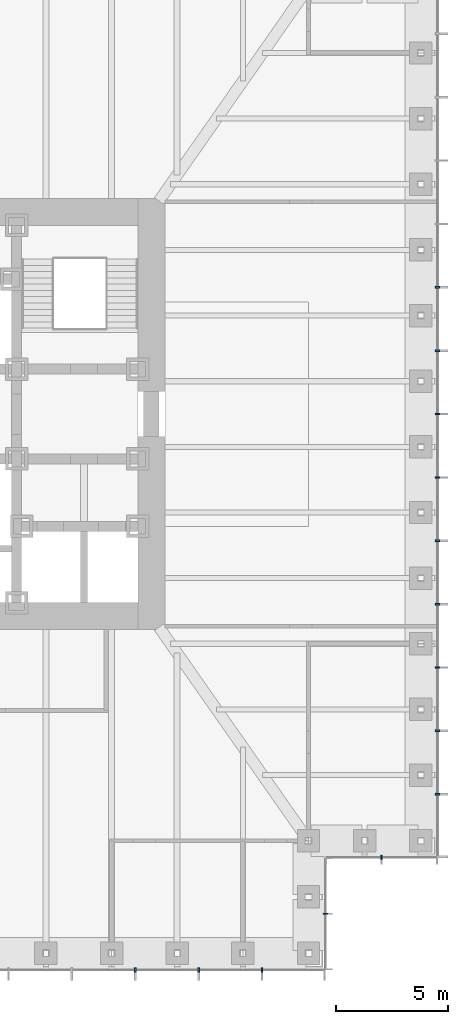
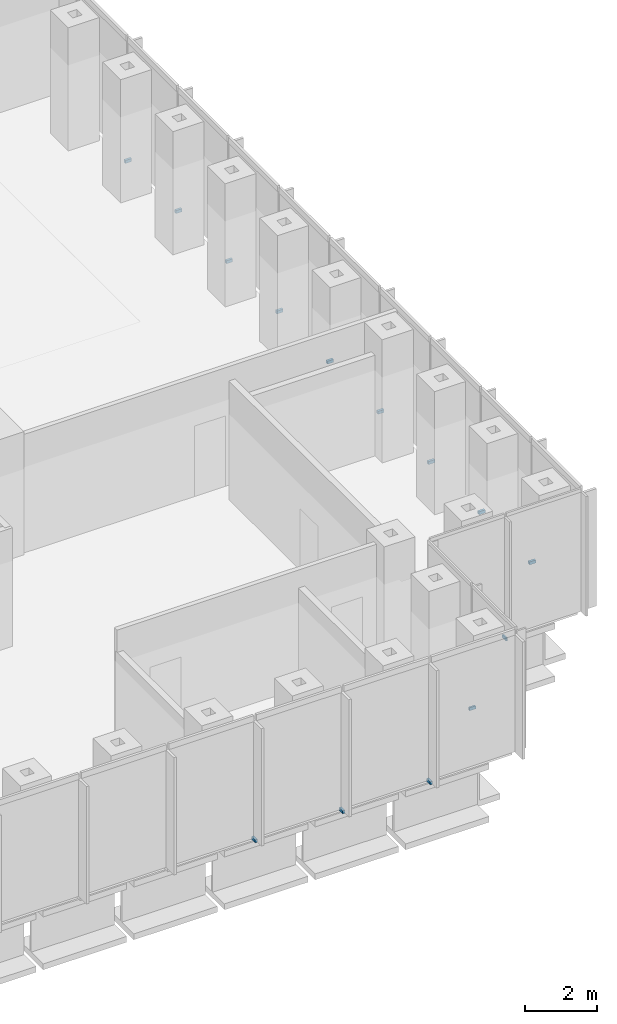
# One storey, part 13 of 16: 14 discrete accessories.
"""IFC4 building model written with IfcOpenShell, lengths in metres."""

from ifc_helpers import new_model, si_unit, direction, frame, origin, origin_2d, place, context, subcontext, project, spatial, rectangle, extrude, element, save


model = new_model("IFC4")

# Units and contexts
model_context = context("Model", 3, precision=1e-05, world=origin(), true_north=direction((0.0, 1.0)))
body_context = subcontext(model_context, "Body", "Model", "MODEL_VIEW")
ifc_project = project(units=[si_unit("LENGTHUNIT", "METRE"), si_unit("AREAUNIT", "SQUARE_METRE"), si_unit("VOLUMEUNIT", "CUBIC_METRE"), si_unit("PLANEANGLEUNIT", "RADIAN"), si_unit("MASSUNIT", "GRAM", prefix="KILO")], contexts=[model_context])

# Site, building, storey
site_placement = place(None, origin())
site = spatial("IfcSite", under=ifc_project, at=site_placement, CompositionType="ELEMENT")
building_placement = place(site_placement, origin())
building = spatial("IfcBuilding", under=site, at=building_placement, Name="Daluyong Arena Tower", CompositionType="ELEMENT")
storey_placement = place(building_placement, frame((0.0, 0.0, 39.10009765625)))
storey = spatial("IfcBuildingStorey", under=building, at=storey_placement, Name="L07", CompositionType="ELEMENT", Elevation=39.10009765625)

# Discrete accessories
for number, where, z_axis, x_axis, name in (
    (1, (67.28564453125, 55.25, -0.10009765625), (0.0, 0.0, 1.0), (1.0, 0.0, 0.0), "curtain wall L07 S anchor bracket 12"),
    (2, (70.107177734375, 55.25, -0.10009765625), (0.0, 0.0, 1.0), (1.0, 0.0, 0.0), "curtain wall L07 S anchor bracket 13"),
    (3, (72.928466796875, 55.25, -0.10009765625), (0.0, 0.0, 1.0), (1.0, 0.0, 0.0), "curtain wall L07 S anchor bracket 14"),
):
    element("IfcDiscreteAccessory", number, at=place(storey_placement, frame(where, z_axis=z_axis, x_axis=x_axis)), inside=storey, Name=name, PredefinedType="BRACKET", context=body_context, shape_type="SweptSolid", body=[
        extrude(rectangle(XDim=0.080078125, YDim=0.199951171875, at=origin_2d()), origin(), (0.0, 0.0, 1.0), 0.10009765625),
    ])
for number, where, z_axis, x_axis, name in (
    (4, (75.75, 57.75, -0.10009765625), (0.0, 0.0, 1.0), (0.0, 1.0, 0.0), "curtain wall L07 SE-E anchor bracket 2"),
    (5, (78.25, 60.25, -0.10009765625), (0.0, 0.0, 1.0), (1.0, 0.0, 0.0), "curtain wall L07 SE-S anchor bracket 2"),
):
    element("IfcDiscreteAccessory", number, at=place(storey_placement, frame(where, z_axis=z_axis, x_axis=x_axis)), inside=storey, Name=name, PredefinedType="BRACKET", context=body_context, shape_type="SweptSolid", body=[
        extrude(rectangle(XDim=0.06005859375, YDim=0.199951171875, at=origin_2d()), origin(), (0.0, 0.0, 1.0), 0.10009765625),
    ])
for number, where, z_axis, x_axis, name in (
    (6, (80.75, 63.071533203125, -0.10009765625), (0.0, 0.0, 1.0), (0.0, 1.0, 0.0), "curtain wall L07 E anchor bracket 2"),
    (7, (80.75, 65.892822265625, -0.10009765625), (0.0, 0.0, 1.0), (0.0, 1.0, 0.0), "curtain wall L07 E anchor bracket 3"),
    (8, (80.75, 68.71435546875, -0.10009765625), (0.0, 0.0, 1.0), (0.0, 1.0, 0.0), "curtain wall L07 E anchor bracket 4"),
    (9, (80.75, 71.53564453125, -0.10009765625), (0.0, 0.0, 1.0), (0.0, 1.0, 0.0), "curtain wall L07 E anchor bracket 5"),
    (10, (80.75, 74.357177734375, -0.10009765625), (0.0, 0.0, 1.0), (0.0, 1.0, 0.0), "curtain wall L07 E anchor bracket 6"),
    (11, (80.75, 77.178466796875, -0.10009765625), (0.0, 0.0, 1.0), (0.0, 1.0, 0.0), "curtain wall L07 E anchor bracket 7"),
    (12, (80.75, 80.0, -0.10009765625), (0.0, 0.0, 1.0), (0.0, 1.0, 0.0), "curtain wall L07 E anchor bracket 8"),
    (13, (80.75, 82.821533203125, -0.10009765625), (0.0, 0.0, 1.0), (0.0, 1.0, 0.0), "curtain wall L07 E anchor bracket 9"),
    (14, (80.75, 85.642822265625, -0.10009765625), (0.0, 0.0, 1.0), (0.0, 1.0, 0.0), "curtain wall L07 E anchor bracket 10"),
):
    element("IfcDiscreteAccessory", number, at=place(storey_placement, frame(where, z_axis=z_axis, x_axis=x_axis)), inside=storey, Name=name, PredefinedType="BRACKET", context=body_context, shape_type="SweptSolid", body=[
        extrude(rectangle(XDim=0.080078125, YDim=0.199951171875, at=origin_2d()), origin(), (0.0, 0.0, 1.0), 0.10009765625),
    ])

save(model, "model.ifc")
